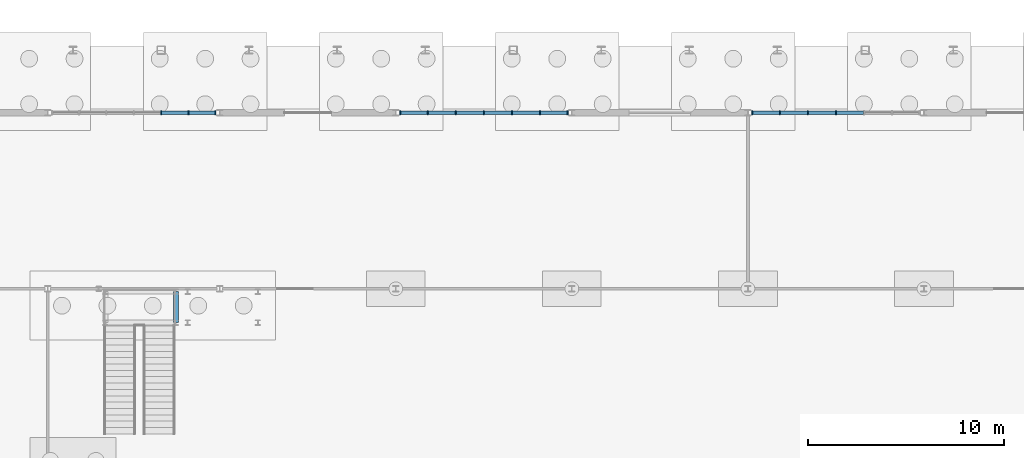
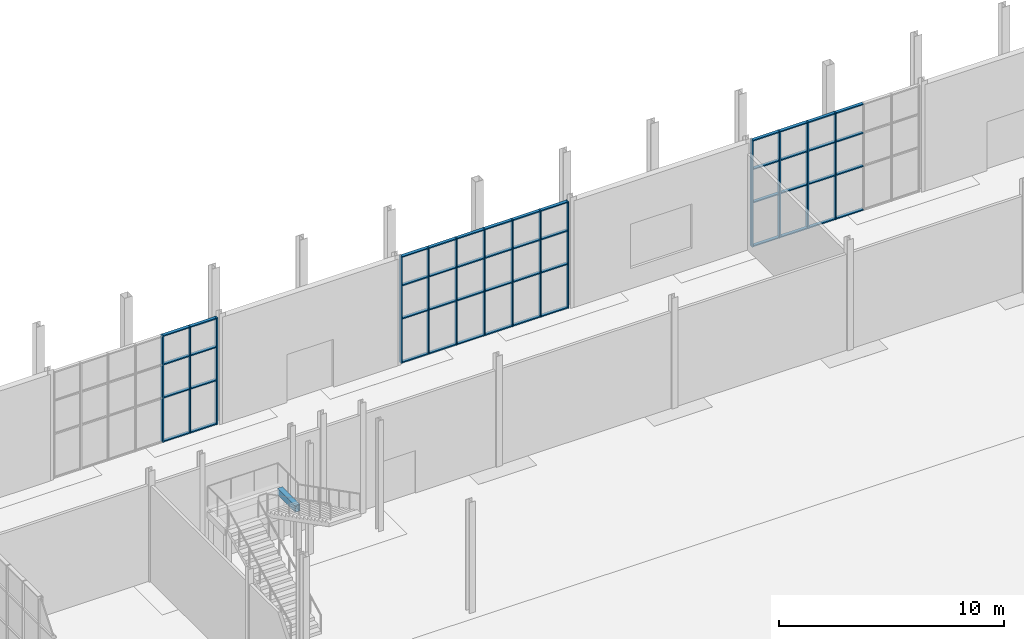
# One storey, part 60 of 131: 62 members, 1 beam, 3 elements without a shape of their own.
"""IFC4 building model written with IfcOpenShell, lengths in metres."""

from ifc_helpers import new_model, si_unit, direction, frame, origin, origin_2d, place, context, subcontext, project, spatial, rectangle, hollow_rectangle, extrude, material, layer, layer_set, material_profile, profile_set, type_object, element, aggregate, save


model = new_model("IFC4")

# Units and contexts
model_context = context("Model", 3, precision=1e-05, world=origin(), true_north=direction((0.0, 1.0)))
body_context = subcontext(model_context, "Body", "Model", "MODEL_VIEW")
ifc_project = project(units=[si_unit("LENGTHUNIT", "METRE"), si_unit("AREAUNIT", "SQUARE_METRE"), si_unit("VOLUMEUNIT", "CUBIC_METRE"), si_unit("PLANEANGLEUNIT", "RADIAN"), si_unit("MASSUNIT", "GRAM", prefix="KILO")], contexts=[model_context])

# Site, building, storey
site_placement = place(None, origin())
site = spatial("IfcSite", under=ifc_project, at=site_placement, CompositionType="ELEMENT")
building_placement = place(site_placement, origin())
building = spatial("IfcBuilding", under=site, at=building_placement, Name="Cazmaro Siding Exhibition Halls", CompositionType="ELEMENT")
storey_placement = place(building_placement, origin())
storey = spatial("IfcBuildingStorey", under=building, at=storey_placement, Name="L00", CompositionType="ELEMENT", Elevation=0.0)

# Beam
ifc_material_1 = material(Name="Steel ASTM A500 Grade C", Category="steel")
ifc_material_profile_1 = material_profile(ifc_material_1, hollow_rectangle(XDim=0.25390625, YDim=0.35595703125, WallThickness=0.014892578125, at=origin_2d()), Name="HSS14X10X5/8")
ifc_profile_set_1 = profile_set([ifc_material_profile_1], Name="Steel ASTM A500 Grade C")
beam_type = type_object("IfcBeamType", Name="B-06", PredefinedType="BEAM", material=ifc_profile_set_1)
beam_placement = place(storey_placement, frame((63.75, 110.070068359375, 2.6220703125), z_axis=(0.0, 1.0, 0.0), x_axis=(-1.0, 0.0, 0.0)))
element("IfcBeam", 1, at=beam_placement, inside=storey, type_object=beam_type, Name="Beam B-06 BM-2477", PredefinedType="BEAM", context=body_context, shape_type="SweptSolid", body=[
    extrude(hollow_rectangle(XDim=0.25390625, YDim=0.35595703125, WallThickness=0.014892578125, at=origin_2d()), origin(), (0.0, 0.0, 1.0), 1.579833984375),
])

# Curtain wall, members
ifc_material_2 = material(Name="Anodized Bronze Aluminum and Solar-Control Low-E Glazing", Category="aluminium")
ifc_layer = layer(ifc_material_2, 0.179931640625)
ifc_layer_set = layer_set([ifc_layer], Name="Anodized Bronze Aluminum and Solar-Control Low-E Glazing")
curtain_wall_type = type_object("IfcCurtainWallType", Name="CWS-01", PredefinedType="USERDEFINED", material=ifc_layer_set)
curtain_wall_1_placement = place(storey_placement, origin())
curtain_wall_1 = element("IfcCurtainWall", 2, at=curtain_wall_1_placement, inside=storey, type_object=curtain_wall_type, Name="Glazed Curtain Wall CWS-01 CW-006", ObjectType="GLAZED CURTAIN WALL", PredefinedType="USERDEFINED")
ifc_material_3 = material(Name="Anodized Bronze Extruded Aluminum", Category="aluminium")
ifc_material_profile_2 = material_profile(ifc_material_3, rectangle(XDim=0.179931640625, YDim=0.06005859375, at=origin_2d()), Name="CWM-01")
ifc_profile_set_2 = profile_set([ifc_material_profile_2], Name="Anodized Bronze Extruded Aluminum")
member_type_1 = type_object("IfcMemberType", Name="CWM-01", PredefinedType="MULLION", material=ifc_profile_set_2)
member_1_placement = place(storey_placement, frame((65.77294921875, 120.800048828125, 0.0), z_axis=(0.0, 0.0, 1.0), x_axis=(0.0, -1.0, 0.0)))
member_1 = element("IfcMember", 3, at=member_1_placement, type_object=member_type_1, Name="CWS-01 mullion 1", PredefinedType="MULLION", context=body_context, shape_type="SweptSolid", body=[
    extrude(rectangle(XDim=0.179931640625, YDim=0.06005859375, at=origin_2d()), origin(), (0.0, 0.0, 1.0), 5.780029296875),
])
member_2_placement = place(storey_placement, frame((64.402099609375, 120.800048828125, 0.0), z_axis=(0.0, 0.0, 1.0), x_axis=(0.0, -1.0, 0.0)))
member_2 = element("IfcMember", 4, at=member_2_placement, type_object=member_type_1, Name="CWS-01 mullion 2", PredefinedType="MULLION", context=body_context, shape_type="SweptSolid", body=[
    extrude(rectangle(XDim=0.179931640625, YDim=0.06005859375, at=origin_2d()), origin(), (0.0, 0.0, 1.0), 5.780029296875),
])
member_3_placement = place(storey_placement, frame((63.0009765625, 120.800048828125, 0.0), z_axis=(0.0, 0.0, 1.0), x_axis=(0.0, -1.0, 0.0)))
member_3 = element("IfcMember", 5, at=member_3_placement, type_object=member_type_1, Name="CWS-01 mullion 3", PredefinedType="MULLION", context=body_context, shape_type="SweptSolid", body=[
    extrude(rectangle(XDim=0.179931640625, YDim=0.06005859375, at=origin_2d()), origin(), (0.0, 0.0, 1.0), 5.780029296875),
])

curtain_wall_2_placement = place(storey_placement, origin())
curtain_wall_2 = element("IfcCurtainWall", 6, at=curtain_wall_2_placement, inside=storey, type_object=curtain_wall_type, Name="Glazed Curtain Wall CWS-01 CW-014", ObjectType="GLAZED CURTAIN WALL", PredefinedType="USERDEFINED")
member_4_placement = place(storey_placement, frame((83.77294921875, 120.800048828125, 0.0), z_axis=(0.0, 0.0, 1.0), x_axis=(0.0, -1.0, 0.0)))
member_4 = element("IfcMember", 7, at=member_4_placement, type_object=member_type_1, Name="CWS-01 mullion 1", PredefinedType="MULLION", context=body_context, shape_type="SweptSolid", body=[
    extrude(rectangle(XDim=0.179931640625, YDim=0.06005859375, at=origin_2d()), origin(), (0.0, 0.0, 1.0), 5.780029296875),
])
member_5_placement = place(storey_placement, frame((82.36865234375, 120.800048828125, 0.0), z_axis=(0.0, 0.0, 1.0), x_axis=(0.0, -1.0, 0.0)))
member_5 = element("IfcMember", 8, at=member_5_placement, type_object=member_type_1, Name="CWS-01 mullion 2", PredefinedType="MULLION", context=body_context, shape_type="SweptSolid", body=[
    extrude(rectangle(XDim=0.179931640625, YDim=0.06005859375, at=origin_2d()), origin(), (0.0, 0.0, 1.0), 5.780029296875),
])
member_6_placement = place(storey_placement, frame((80.934326171875, 120.800048828125, 0.0), z_axis=(0.0, 0.0, 1.0), x_axis=(0.0, -1.0, 0.0)))
member_6 = element("IfcMember", 9, at=member_6_placement, type_object=member_type_1, Name="CWS-01 mullion 3", PredefinedType="MULLION", context=body_context, shape_type="SweptSolid", body=[
    extrude(rectangle(XDim=0.179931640625, YDim=0.06005859375, at=origin_2d()), origin(), (0.0, 0.0, 1.0), 5.780029296875),
])
member_7_placement = place(storey_placement, frame((79.5, 120.800048828125, 0.0), z_axis=(0.0, 0.0, 1.0), x_axis=(0.0, -1.0, 0.0)))
member_7 = element("IfcMember", 10, at=member_7_placement, type_object=member_type_1, Name="CWS-01 mullion 4", PredefinedType="MULLION", context=body_context, shape_type="SweptSolid", body=[
    extrude(rectangle(XDim=0.179931640625, YDim=0.06005859375, at=origin_2d()), origin(), (0.0, 0.0, 1.0), 5.780029296875),
])
member_8_placement = place(storey_placement, frame((78.065673828125, 120.800048828125, 0.0), z_axis=(0.0, 0.0, 1.0), x_axis=(0.0, -1.0, 0.0)))
member_8 = element("IfcMember", 11, at=member_8_placement, type_object=member_type_1, Name="CWS-01 mullion 5", PredefinedType="MULLION", context=body_context, shape_type="SweptSolid", body=[
    extrude(rectangle(XDim=0.179931640625, YDim=0.06005859375, at=origin_2d()), origin(), (0.0, 0.0, 1.0), 5.780029296875),
])
member_9_placement = place(storey_placement, frame((76.63134765625, 120.800048828125, 0.0), z_axis=(0.0, 0.0, 1.0), x_axis=(0.0, -1.0, 0.0)))
member_9 = element("IfcMember", 12, at=member_9_placement, type_object=member_type_1, Name="CWS-01 mullion 6", PredefinedType="MULLION", context=body_context, shape_type="SweptSolid", body=[
    extrude(rectangle(XDim=0.179931640625, YDim=0.06005859375, at=origin_2d()), origin(), (0.0, 0.0, 1.0), 5.780029296875),
])
member_10_placement = place(storey_placement, frame((75.22705078125, 120.800048828125, 0.0), z_axis=(0.0, 0.0, 1.0), x_axis=(0.0, -1.0, 0.0)))
member_10 = element("IfcMember", 13, at=member_10_placement, type_object=member_type_1, Name="CWS-01 mullion 7", PredefinedType="MULLION", context=body_context, shape_type="SweptSolid", body=[
    extrude(rectangle(XDim=0.179931640625, YDim=0.06005859375, at=origin_2d()), origin(), (0.0, 0.0, 1.0), 5.780029296875),
])

curtain_wall_3_placement = place(storey_placement, origin())
curtain_wall_3 = element("IfcCurtainWall", 14, at=curtain_wall_3_placement, inside=storey, type_object=curtain_wall_type, Name="Glazed Curtain Wall CWS-01 CW-022", ObjectType="GLAZED CURTAIN WALL", PredefinedType="USERDEFINED")
member_11_placement = place(storey_placement, frame((97.5, 120.800048828125, 0.0), z_axis=(0.0, 0.0, 1.0), x_axis=(0.0, -1.0, 0.0)))
member_11 = element("IfcMember", 15, at=member_11_placement, type_object=member_type_1, Name="CWS-01 mullion 4", PredefinedType="MULLION", context=body_context, shape_type="SweptSolid", body=[
    extrude(rectangle(XDim=0.179931640625, YDim=0.06005859375, at=origin_2d()), origin(), (0.0, 0.0, 1.0), 5.780029296875),
])
member_12_placement = place(storey_placement, frame((96.065673828125, 120.800048828125, 0.0), z_axis=(0.0, 0.0, 1.0), x_axis=(0.0, -1.0, 0.0)))
member_12 = element("IfcMember", 16, at=member_12_placement, type_object=member_type_1, Name="CWS-01 mullion 5", PredefinedType="MULLION", context=body_context, shape_type="SweptSolid", body=[
    extrude(rectangle(XDim=0.179931640625, YDim=0.06005859375, at=origin_2d()), origin(), (0.0, 0.0, 1.0), 5.780029296875),
])
member_13_placement = place(storey_placement, frame((94.63134765625, 120.800048828125, 0.0), z_axis=(0.0, 0.0, 1.0), x_axis=(0.0, -1.0, 0.0)))
member_13 = element("IfcMember", 17, at=member_13_placement, type_object=member_type_1, Name="CWS-01 mullion 6", PredefinedType="MULLION", context=body_context, shape_type="SweptSolid", body=[
    extrude(rectangle(XDim=0.179931640625, YDim=0.06005859375, at=origin_2d()), origin(), (0.0, 0.0, 1.0), 5.780029296875),
])
member_14_placement = place(storey_placement, frame((93.22705078125, 120.800048828125, 0.0), z_axis=(0.0, 0.0, 1.0), x_axis=(0.0, -1.0, 0.0)))
member_14 = element("IfcMember", 18, at=member_14_placement, type_object=member_type_1, Name="CWS-01 mullion 7", PredefinedType="MULLION", context=body_context, shape_type="SweptSolid", body=[
    extrude(rectangle(XDim=0.179931640625, YDim=0.06005859375, at=origin_2d()), origin(), (0.0, 0.0, 1.0), 5.780029296875),
])

# Member
ifc_material_4 = material(Name="Anodized Bronze Extruded Aluminum", Category="aluminium")
ifc_material_profile_3 = material_profile(ifc_material_4, rectangle(XDim=0.159912109375, YDim=0.06005859375, at=origin_2d()), Name="CWT-01")
ifc_profile_set_3 = profile_set([ifc_material_profile_3], Name="Anodized Bronze Extruded Aluminum")
member_type_2 = type_object("IfcMemberType", Name="CWT-01", PredefinedType="MULLION", material=ifc_profile_set_3)
member_15_placement = place(storey_placement, frame((65.742919921875, 120.800048828125, 0.030029296875), z_axis=(-1.0, 0.0, 0.0), x_axis=(0.0, -1.0, 0.0)))
member_15 = element("IfcMember", 19, at=member_15_placement, type_object=member_type_2, Name="CWS-01 transom 1.1", ObjectType="TRANSOM", PredefinedType="USERDEFINED", context=body_context, shape_type="SweptSolid", body=[
    extrude(rectangle(XDim=0.159912109375, YDim=0.06005859375, at=origin_2d()), origin(), (0.0, 0.0, 1.0), 1.31103515625),
])

member_16_placement = place(storey_placement, frame((65.742919921875, 120.800048828125, 2.39990234375), z_axis=(-1.0, 0.0, 0.0), x_axis=(0.0, -1.0, 0.0)))
member_16 = element("IfcMember", 20, at=member_16_placement, type_object=member_type_2, Name="CWS-01 transom 1.2", ObjectType="TRANSOM", PredefinedType="USERDEFINED", context=body_context, shape_type="SweptSolid", body=[
    extrude(rectangle(XDim=0.159912109375, YDim=0.06005859375, at=origin_2d()), origin(), (0.0, 0.0, 1.0), 1.31103515625),
])

member_17_placement = place(storey_placement, frame((65.742919921875, 120.800048828125, 4.199951171875), z_axis=(-1.0, 0.0, 0.0), x_axis=(0.0, -1.0, 0.0)))
member_17 = element("IfcMember", 21, at=member_17_placement, type_object=member_type_2, Name="CWS-01 transom 1.3", ObjectType="TRANSOM", PredefinedType="USERDEFINED", context=body_context, shape_type="SweptSolid", body=[
    extrude(rectangle(XDim=0.159912109375, YDim=0.06005859375, at=origin_2d()), origin(), (0.0, 0.0, 1.0), 1.31103515625),
])

member_18_placement = place(storey_placement, frame((65.742919921875, 120.800048828125, 5.75), z_axis=(-1.0, 0.0, 0.0), x_axis=(0.0, -1.0, 0.0)))
member_18 = element("IfcMember", 22, at=member_18_placement, type_object=member_type_2, Name="CWS-01 transom 1.4", ObjectType="TRANSOM", PredefinedType="USERDEFINED", context=body_context, shape_type="SweptSolid", body=[
    extrude(rectangle(XDim=0.159912109375, YDim=0.06005859375, at=origin_2d()), origin(), (0.0, 0.0, 1.0), 1.31103515625),
])

member_19_placement = place(storey_placement, frame((64.3720703125, 120.800048828125, 0.030029296875), z_axis=(-1.0, 0.0, 0.0), x_axis=(0.0, -1.0, 0.0)))
member_19 = element("IfcMember", 23, at=member_19_placement, type_object=member_type_2, Name="CWS-01 transom 2.1", ObjectType="TRANSOM", PredefinedType="USERDEFINED", context=body_context, shape_type="SweptSolid", body=[
    extrude(rectangle(XDim=0.159912109375, YDim=0.06005859375, at=origin_2d()), origin(), (0.0, 0.0, 1.0), 1.341064453125),
])

member_20_placement = place(storey_placement, frame((64.3720703125, 120.800048828125, 2.39990234375), z_axis=(-1.0, 0.0, 0.0), x_axis=(0.0, -1.0, 0.0)))
member_20 = element("IfcMember", 24, at=member_20_placement, type_object=member_type_2, Name="CWS-01 transom 2.2", ObjectType="TRANSOM", PredefinedType="USERDEFINED", context=body_context, shape_type="SweptSolid", body=[
    extrude(rectangle(XDim=0.159912109375, YDim=0.06005859375, at=origin_2d()), origin(), (0.0, 0.0, 1.0), 1.341064453125),
])

member_21_placement = place(storey_placement, frame((64.3720703125, 120.800048828125, 4.199951171875), z_axis=(-1.0, 0.0, 0.0), x_axis=(0.0, -1.0, 0.0)))
member_21 = element("IfcMember", 25, at=member_21_placement, type_object=member_type_2, Name="CWS-01 transom 2.3", ObjectType="TRANSOM", PredefinedType="USERDEFINED", context=body_context, shape_type="SweptSolid", body=[
    extrude(rectangle(XDim=0.159912109375, YDim=0.06005859375, at=origin_2d()), origin(), (0.0, 0.0, 1.0), 1.341064453125),
])

member_22_placement = place(storey_placement, frame((64.3720703125, 120.800048828125, 5.75), z_axis=(-1.0, 0.0, 0.0), x_axis=(0.0, -1.0, 0.0)))
member_22 = element("IfcMember", 26, at=member_22_placement, type_object=member_type_2, Name="CWS-01 transom 2.4", ObjectType="TRANSOM", PredefinedType="USERDEFINED", context=body_context, shape_type="SweptSolid", body=[
    extrude(rectangle(XDim=0.159912109375, YDim=0.06005859375, at=origin_2d()), origin(), (0.0, 0.0, 1.0), 1.341064453125),
])

aggregate(curtain_wall_1, [member_1, member_2, member_3, member_15, member_16, member_17, member_18, member_19, member_20, member_21, member_22])

member_23_placement = place(storey_placement, frame((83.742919921875, 120.800048828125, 0.030029296875), z_axis=(-1.0, 0.0, 0.0), x_axis=(0.0, -1.0, 0.0)))
member_23 = element("IfcMember", 27, at=member_23_placement, type_object=member_type_2, Name="CWS-01 transom 1.1", ObjectType="TRANSOM", PredefinedType="USERDEFINED", context=body_context, shape_type="SweptSolid", body=[
    extrude(rectangle(XDim=0.159912109375, YDim=0.06005859375, at=origin_2d()), origin(), (0.0, 0.0, 1.0), 1.34423828125),
])

member_24_placement = place(storey_placement, frame((83.742919921875, 120.800048828125, 2.39990234375), z_axis=(-1.0, 0.0, 0.0), x_axis=(0.0, -1.0, 0.0)))
member_24 = element("IfcMember", 28, at=member_24_placement, type_object=member_type_2, Name="CWS-01 transom 1.2", ObjectType="TRANSOM", PredefinedType="USERDEFINED", context=body_context, shape_type="SweptSolid", body=[
    extrude(rectangle(XDim=0.159912109375, YDim=0.06005859375, at=origin_2d()), origin(), (0.0, 0.0, 1.0), 1.34423828125),
])

member_25_placement = place(storey_placement, frame((83.742919921875, 120.800048828125, 4.199951171875), z_axis=(-1.0, 0.0, 0.0), x_axis=(0.0, -1.0, 0.0)))
member_25 = element("IfcMember", 29, at=member_25_placement, type_object=member_type_2, Name="CWS-01 transom 1.3", ObjectType="TRANSOM", PredefinedType="USERDEFINED", context=body_context, shape_type="SweptSolid", body=[
    extrude(rectangle(XDim=0.159912109375, YDim=0.06005859375, at=origin_2d()), origin(), (0.0, 0.0, 1.0), 1.34423828125),
])

member_26_placement = place(storey_placement, frame((83.742919921875, 120.800048828125, 5.75), z_axis=(-1.0, 0.0, 0.0), x_axis=(0.0, -1.0, 0.0)))
member_26 = element("IfcMember", 30, at=member_26_placement, type_object=member_type_2, Name="CWS-01 transom 1.4", ObjectType="TRANSOM", PredefinedType="USERDEFINED", context=body_context, shape_type="SweptSolid", body=[
    extrude(rectangle(XDim=0.159912109375, YDim=0.06005859375, at=origin_2d()), origin(), (0.0, 0.0, 1.0), 1.34423828125),
])

member_27_placement = place(storey_placement, frame((82.338623046875, 120.800048828125, 0.030029296875), z_axis=(-1.0, 0.0, 0.0), x_axis=(0.0, -1.0, 0.0)))
member_27 = element("IfcMember", 31, at=member_27_placement, type_object=member_type_2, Name="CWS-01 transom 2.1", ObjectType="TRANSOM", PredefinedType="USERDEFINED", context=body_context, shape_type="SweptSolid", body=[
    extrude(rectangle(XDim=0.159912109375, YDim=0.06005859375, at=origin_2d()), origin(), (0.0, 0.0, 1.0), 1.374267578125),
])

member_28_placement = place(storey_placement, frame((82.338623046875, 120.800048828125, 2.39990234375), z_axis=(-1.0, 0.0, 0.0), x_axis=(0.0, -1.0, 0.0)))
member_28 = element("IfcMember", 32, at=member_28_placement, type_object=member_type_2, Name="CWS-01 transom 2.2", ObjectType="TRANSOM", PredefinedType="USERDEFINED", context=body_context, shape_type="SweptSolid", body=[
    extrude(rectangle(XDim=0.159912109375, YDim=0.06005859375, at=origin_2d()), origin(), (0.0, 0.0, 1.0), 1.374267578125),
])

member_29_placement = place(storey_placement, frame((82.338623046875, 120.800048828125, 4.199951171875), z_axis=(-1.0, 0.0, 0.0), x_axis=(0.0, -1.0, 0.0)))
member_29 = element("IfcMember", 33, at=member_29_placement, type_object=member_type_2, Name="CWS-01 transom 2.3", ObjectType="TRANSOM", PredefinedType="USERDEFINED", context=body_context, shape_type="SweptSolid", body=[
    extrude(rectangle(XDim=0.159912109375, YDim=0.06005859375, at=origin_2d()), origin(), (0.0, 0.0, 1.0), 1.374267578125),
])

member_30_placement = place(storey_placement, frame((82.338623046875, 120.800048828125, 5.75), z_axis=(-1.0, 0.0, 0.0), x_axis=(0.0, -1.0, 0.0)))
member_30 = element("IfcMember", 34, at=member_30_placement, type_object=member_type_2, Name="CWS-01 transom 2.4", ObjectType="TRANSOM", PredefinedType="USERDEFINED", context=body_context, shape_type="SweptSolid", body=[
    extrude(rectangle(XDim=0.159912109375, YDim=0.06005859375, at=origin_2d()), origin(), (0.0, 0.0, 1.0), 1.374267578125),
])

member_31_placement = place(storey_placement, frame((80.904296875, 120.800048828125, 0.030029296875), z_axis=(-1.0, 0.0, 0.0), x_axis=(0.0, -1.0, 0.0)))
member_31 = element("IfcMember", 35, at=member_31_placement, type_object=member_type_2, Name="CWS-01 transom 3.1", ObjectType="TRANSOM", PredefinedType="USERDEFINED", context=body_context, shape_type="SweptSolid", body=[
    extrude(rectangle(XDim=0.159912109375, YDim=0.06005859375, at=origin_2d()), origin(), (0.0, 0.0, 1.0), 1.374267578125),
])

member_32_placement = place(storey_placement, frame((80.904296875, 120.800048828125, 2.39990234375), z_axis=(-1.0, 0.0, 0.0), x_axis=(0.0, -1.0, 0.0)))
member_32 = element("IfcMember", 36, at=member_32_placement, type_object=member_type_2, Name="CWS-01 transom 3.2", ObjectType="TRANSOM", PredefinedType="USERDEFINED", context=body_context, shape_type="SweptSolid", body=[
    extrude(rectangle(XDim=0.159912109375, YDim=0.06005859375, at=origin_2d()), origin(), (0.0, 0.0, 1.0), 1.374267578125),
])

member_33_placement = place(storey_placement, frame((80.904296875, 120.800048828125, 4.199951171875), z_axis=(-1.0, 0.0, 0.0), x_axis=(0.0, -1.0, 0.0)))
member_33 = element("IfcMember", 37, at=member_33_placement, type_object=member_type_2, Name="CWS-01 transom 3.3", ObjectType="TRANSOM", PredefinedType="USERDEFINED", context=body_context, shape_type="SweptSolid", body=[
    extrude(rectangle(XDim=0.159912109375, YDim=0.06005859375, at=origin_2d()), origin(), (0.0, 0.0, 1.0), 1.374267578125),
])

member_34_placement = place(storey_placement, frame((80.904296875, 120.800048828125, 5.75), z_axis=(-1.0, 0.0, 0.0), x_axis=(0.0, -1.0, 0.0)))
member_34 = element("IfcMember", 38, at=member_34_placement, type_object=member_type_2, Name="CWS-01 transom 3.4", ObjectType="TRANSOM", PredefinedType="USERDEFINED", context=body_context, shape_type="SweptSolid", body=[
    extrude(rectangle(XDim=0.159912109375, YDim=0.06005859375, at=origin_2d()), origin(), (0.0, 0.0, 1.0), 1.374267578125),
])

member_35_placement = place(storey_placement, frame((79.469970703125, 120.800048828125, 0.030029296875), z_axis=(-1.0, 0.0, 0.0), x_axis=(0.0, -1.0, 0.0)))
member_35 = element("IfcMember", 39, at=member_35_placement, type_object=member_type_2, Name="CWS-01 transom 4.1", ObjectType="TRANSOM", PredefinedType="USERDEFINED", context=body_context, shape_type="SweptSolid", body=[
    extrude(rectangle(XDim=0.159912109375, YDim=0.06005859375, at=origin_2d()), origin(), (0.0, 0.0, 1.0), 1.374267578125),
])

member_36_placement = place(storey_placement, frame((79.469970703125, 120.800048828125, 2.39990234375), z_axis=(-1.0, 0.0, 0.0), x_axis=(0.0, -1.0, 0.0)))
member_36 = element("IfcMember", 40, at=member_36_placement, type_object=member_type_2, Name="CWS-01 transom 4.2", ObjectType="TRANSOM", PredefinedType="USERDEFINED", context=body_context, shape_type="SweptSolid", body=[
    extrude(rectangle(XDim=0.159912109375, YDim=0.06005859375, at=origin_2d()), origin(), (0.0, 0.0, 1.0), 1.374267578125),
])

member_37_placement = place(storey_placement, frame((79.469970703125, 120.800048828125, 4.199951171875), z_axis=(-1.0, 0.0, 0.0), x_axis=(0.0, -1.0, 0.0)))
member_37 = element("IfcMember", 41, at=member_37_placement, type_object=member_type_2, Name="CWS-01 transom 4.3", ObjectType="TRANSOM", PredefinedType="USERDEFINED", context=body_context, shape_type="SweptSolid", body=[
    extrude(rectangle(XDim=0.159912109375, YDim=0.06005859375, at=origin_2d()), origin(), (0.0, 0.0, 1.0), 1.374267578125),
])

member_38_placement = place(storey_placement, frame((79.469970703125, 120.800048828125, 5.75), z_axis=(-1.0, 0.0, 0.0), x_axis=(0.0, -1.0, 0.0)))
member_38 = element("IfcMember", 42, at=member_38_placement, type_object=member_type_2, Name="CWS-01 transom 4.4", ObjectType="TRANSOM", PredefinedType="USERDEFINED", context=body_context, shape_type="SweptSolid", body=[
    extrude(rectangle(XDim=0.159912109375, YDim=0.06005859375, at=origin_2d()), origin(), (0.0, 0.0, 1.0), 1.374267578125),
])

member_39_placement = place(storey_placement, frame((78.03564453125, 120.800048828125, 0.030029296875), z_axis=(-1.0, 0.0, 0.0), x_axis=(0.0, -1.0, 0.0)))
member_39 = element("IfcMember", 43, at=member_39_placement, type_object=member_type_2, Name="CWS-01 transom 5.1", ObjectType="TRANSOM", PredefinedType="USERDEFINED", context=body_context, shape_type="SweptSolid", body=[
    extrude(rectangle(XDim=0.159912109375, YDim=0.06005859375, at=origin_2d()), origin(), (0.0, 0.0, 1.0), 1.374267578125),
])

member_40_placement = place(storey_placement, frame((78.03564453125, 120.800048828125, 2.39990234375), z_axis=(-1.0, 0.0, 0.0), x_axis=(0.0, -1.0, 0.0)))
member_40 = element("IfcMember", 44, at=member_40_placement, type_object=member_type_2, Name="CWS-01 transom 5.2", ObjectType="TRANSOM", PredefinedType="USERDEFINED", context=body_context, shape_type="SweptSolid", body=[
    extrude(rectangle(XDim=0.159912109375, YDim=0.06005859375, at=origin_2d()), origin(), (0.0, 0.0, 1.0), 1.374267578125),
])

member_41_placement = place(storey_placement, frame((78.03564453125, 120.800048828125, 4.199951171875), z_axis=(-1.0, 0.0, 0.0), x_axis=(0.0, -1.0, 0.0)))
member_41 = element("IfcMember", 45, at=member_41_placement, type_object=member_type_2, Name="CWS-01 transom 5.3", ObjectType="TRANSOM", PredefinedType="USERDEFINED", context=body_context, shape_type="SweptSolid", body=[
    extrude(rectangle(XDim=0.159912109375, YDim=0.06005859375, at=origin_2d()), origin(), (0.0, 0.0, 1.0), 1.374267578125),
])

member_42_placement = place(storey_placement, frame((78.03564453125, 120.800048828125, 5.75), z_axis=(-1.0, 0.0, 0.0), x_axis=(0.0, -1.0, 0.0)))
member_42 = element("IfcMember", 46, at=member_42_placement, type_object=member_type_2, Name="CWS-01 transom 5.4", ObjectType="TRANSOM", PredefinedType="USERDEFINED", context=body_context, shape_type="SweptSolid", body=[
    extrude(rectangle(XDim=0.159912109375, YDim=0.06005859375, at=origin_2d()), origin(), (0.0, 0.0, 1.0), 1.374267578125),
])

member_43_placement = place(storey_placement, frame((76.601318359375, 120.800048828125, 0.030029296875), z_axis=(-1.0, 0.0, 0.0), x_axis=(0.0, -1.0, 0.0)))
member_43 = element("IfcMember", 47, at=member_43_placement, type_object=member_type_2, Name="CWS-01 transom 6.1", ObjectType="TRANSOM", PredefinedType="USERDEFINED", context=body_context, shape_type="SweptSolid", body=[
    extrude(rectangle(XDim=0.159912109375, YDim=0.06005859375, at=origin_2d()), origin(), (0.0, 0.0, 1.0), 1.34423828125),
])

member_44_placement = place(storey_placement, frame((76.601318359375, 120.800048828125, 2.39990234375), z_axis=(-1.0, 0.0, 0.0), x_axis=(0.0, -1.0, 0.0)))
member_44 = element("IfcMember", 48, at=member_44_placement, type_object=member_type_2, Name="CWS-01 transom 6.2", ObjectType="TRANSOM", PredefinedType="USERDEFINED", context=body_context, shape_type="SweptSolid", body=[
    extrude(rectangle(XDim=0.159912109375, YDim=0.06005859375, at=origin_2d()), origin(), (0.0, 0.0, 1.0), 1.34423828125),
])

member_45_placement = place(storey_placement, frame((76.601318359375, 120.800048828125, 4.199951171875), z_axis=(-1.0, 0.0, 0.0), x_axis=(0.0, -1.0, 0.0)))
member_45 = element("IfcMember", 49, at=member_45_placement, type_object=member_type_2, Name="CWS-01 transom 6.3", ObjectType="TRANSOM", PredefinedType="USERDEFINED", context=body_context, shape_type="SweptSolid", body=[
    extrude(rectangle(XDim=0.159912109375, YDim=0.06005859375, at=origin_2d()), origin(), (0.0, 0.0, 1.0), 1.34423828125),
])

member_46_placement = place(storey_placement, frame((76.601318359375, 120.800048828125, 5.75), z_axis=(-1.0, 0.0, 0.0), x_axis=(0.0, -1.0, 0.0)))
member_46 = element("IfcMember", 50, at=member_46_placement, type_object=member_type_2, Name="CWS-01 transom 6.4", ObjectType="TRANSOM", PredefinedType="USERDEFINED", context=body_context, shape_type="SweptSolid", body=[
    extrude(rectangle(XDim=0.159912109375, YDim=0.06005859375, at=origin_2d()), origin(), (0.0, 0.0, 1.0), 1.34423828125),
])

aggregate(curtain_wall_2, [member_4, member_5, member_6, member_7, member_8, member_9, member_10, member_23, member_24, member_25, member_26, member_27, member_28, member_29, member_30, member_31, member_32, member_33, member_34, member_35, member_36, member_37, member_38, member_39, member_40, member_41, member_42, member_43, member_44, member_45, member_46])

member_47_placement = place(storey_placement, frame((98.904296875, 120.800048828125, 0.030029296875), z_axis=(-1.0, 0.0, 0.0), x_axis=(0.0, -1.0, 0.0)))
member_47 = element("IfcMember", 51, at=member_47_placement, type_object=member_type_2, Name="CWS-01 transom 3.1", ObjectType="TRANSOM", PredefinedType="USERDEFINED", context=body_context, shape_type="SweptSolid", body=[
    extrude(rectangle(XDim=0.159912109375, YDim=0.06005859375, at=origin_2d()), origin(), (0.0, 0.0, 1.0), 1.374267578125),
])

member_48_placement = place(storey_placement, frame((98.904296875, 120.800048828125, 2.39990234375), z_axis=(-1.0, 0.0, 0.0), x_axis=(0.0, -1.0, 0.0)))
member_48 = element("IfcMember", 52, at=member_48_placement, type_object=member_type_2, Name="CWS-01 transom 3.2", ObjectType="TRANSOM", PredefinedType="USERDEFINED", context=body_context, shape_type="SweptSolid", body=[
    extrude(rectangle(XDim=0.159912109375, YDim=0.06005859375, at=origin_2d()), origin(), (0.0, 0.0, 1.0), 1.374267578125),
])

member_49_placement = place(storey_placement, frame((98.904296875, 120.800048828125, 4.199951171875), z_axis=(-1.0, 0.0, 0.0), x_axis=(0.0, -1.0, 0.0)))
member_49 = element("IfcMember", 53, at=member_49_placement, type_object=member_type_2, Name="CWS-01 transom 3.3", ObjectType="TRANSOM", PredefinedType="USERDEFINED", context=body_context, shape_type="SweptSolid", body=[
    extrude(rectangle(XDim=0.159912109375, YDim=0.06005859375, at=origin_2d()), origin(), (0.0, 0.0, 1.0), 1.374267578125),
])

member_50_placement = place(storey_placement, frame((98.904296875, 120.800048828125, 5.75), z_axis=(-1.0, 0.0, 0.0), x_axis=(0.0, -1.0, 0.0)))
member_50 = element("IfcMember", 54, at=member_50_placement, type_object=member_type_2, Name="CWS-01 transom 3.4", ObjectType="TRANSOM", PredefinedType="USERDEFINED", context=body_context, shape_type="SweptSolid", body=[
    extrude(rectangle(XDim=0.159912109375, YDim=0.06005859375, at=origin_2d()), origin(), (0.0, 0.0, 1.0), 1.374267578125),
])

member_51_placement = place(storey_placement, frame((97.469970703125, 120.800048828125, 0.030029296875), z_axis=(-1.0, 0.0, 0.0), x_axis=(0.0, -1.0, 0.0)))
member_51 = element("IfcMember", 55, at=member_51_placement, type_object=member_type_2, Name="CWS-01 transom 4.1", ObjectType="TRANSOM", PredefinedType="USERDEFINED", context=body_context, shape_type="SweptSolid", body=[
    extrude(rectangle(XDim=0.159912109375, YDim=0.06005859375, at=origin_2d()), origin(), (0.0, 0.0, 1.0), 1.374267578125),
])

member_52_placement = place(storey_placement, frame((97.469970703125, 120.800048828125, 2.39990234375), z_axis=(-1.0, 0.0, 0.0), x_axis=(0.0, -1.0, 0.0)))
member_52 = element("IfcMember", 56, at=member_52_placement, type_object=member_type_2, Name="CWS-01 transom 4.2", ObjectType="TRANSOM", PredefinedType="USERDEFINED", context=body_context, shape_type="SweptSolid", body=[
    extrude(rectangle(XDim=0.159912109375, YDim=0.06005859375, at=origin_2d()), origin(), (0.0, 0.0, 1.0), 1.374267578125),
])

member_53_placement = place(storey_placement, frame((97.469970703125, 120.800048828125, 4.199951171875), z_axis=(-1.0, 0.0, 0.0), x_axis=(0.0, -1.0, 0.0)))
member_53 = element("IfcMember", 57, at=member_53_placement, type_object=member_type_2, Name="CWS-01 transom 4.3", ObjectType="TRANSOM", PredefinedType="USERDEFINED", context=body_context, shape_type="SweptSolid", body=[
    extrude(rectangle(XDim=0.159912109375, YDim=0.06005859375, at=origin_2d()), origin(), (0.0, 0.0, 1.0), 1.374267578125),
])

member_54_placement = place(storey_placement, frame((97.469970703125, 120.800048828125, 5.75), z_axis=(-1.0, 0.0, 0.0), x_axis=(0.0, -1.0, 0.0)))
member_54 = element("IfcMember", 58, at=member_54_placement, type_object=member_type_2, Name="CWS-01 transom 4.4", ObjectType="TRANSOM", PredefinedType="USERDEFINED", context=body_context, shape_type="SweptSolid", body=[
    extrude(rectangle(XDim=0.159912109375, YDim=0.06005859375, at=origin_2d()), origin(), (0.0, 0.0, 1.0), 1.374267578125),
])

member_55_placement = place(storey_placement, frame((96.03564453125, 120.800048828125, 0.030029296875), z_axis=(-1.0, 0.0, 0.0), x_axis=(0.0, -1.0, 0.0)))
member_55 = element("IfcMember", 59, at=member_55_placement, type_object=member_type_2, Name="CWS-01 transom 5.1", ObjectType="TRANSOM", PredefinedType="USERDEFINED", context=body_context, shape_type="SweptSolid", body=[
    extrude(rectangle(XDim=0.159912109375, YDim=0.06005859375, at=origin_2d()), origin(), (0.0, 0.0, 1.0), 1.374267578125),
])

member_56_placement = place(storey_placement, frame((96.03564453125, 120.800048828125, 2.39990234375), z_axis=(-1.0, 0.0, 0.0), x_axis=(0.0, -1.0, 0.0)))
member_56 = element("IfcMember", 60, at=member_56_placement, type_object=member_type_2, Name="CWS-01 transom 5.2", ObjectType="TRANSOM", PredefinedType="USERDEFINED", context=body_context, shape_type="SweptSolid", body=[
    extrude(rectangle(XDim=0.159912109375, YDim=0.06005859375, at=origin_2d()), origin(), (0.0, 0.0, 1.0), 1.374267578125),
])

member_57_placement = place(storey_placement, frame((96.03564453125, 120.800048828125, 4.199951171875), z_axis=(-1.0, 0.0, 0.0), x_axis=(0.0, -1.0, 0.0)))
member_57 = element("IfcMember", 61, at=member_57_placement, type_object=member_type_2, Name="CWS-01 transom 5.3", ObjectType="TRANSOM", PredefinedType="USERDEFINED", context=body_context, shape_type="SweptSolid", body=[
    extrude(rectangle(XDim=0.159912109375, YDim=0.06005859375, at=origin_2d()), origin(), (0.0, 0.0, 1.0), 1.374267578125),
])

member_58_placement = place(storey_placement, frame((96.03564453125, 120.800048828125, 5.75), z_axis=(-1.0, 0.0, 0.0), x_axis=(0.0, -1.0, 0.0)))
member_58 = element("IfcMember", 62, at=member_58_placement, type_object=member_type_2, Name="CWS-01 transom 5.4", ObjectType="TRANSOM", PredefinedType="USERDEFINED", context=body_context, shape_type="SweptSolid", body=[
    extrude(rectangle(XDim=0.159912109375, YDim=0.06005859375, at=origin_2d()), origin(), (0.0, 0.0, 1.0), 1.374267578125),
])

member_59_placement = place(storey_placement, frame((94.601318359375, 120.800048828125, 0.030029296875), z_axis=(-1.0, 0.0, 0.0), x_axis=(0.0, -1.0, 0.0)))
member_59 = element("IfcMember", 63, at=member_59_placement, type_object=member_type_2, Name="CWS-01 transom 6.1", ObjectType="TRANSOM", PredefinedType="USERDEFINED", context=body_context, shape_type="SweptSolid", body=[
    extrude(rectangle(XDim=0.159912109375, YDim=0.06005859375, at=origin_2d()), origin(), (0.0, 0.0, 1.0), 1.34423828125),
])

member_60_placement = place(storey_placement, frame((94.601318359375, 120.800048828125, 2.39990234375), z_axis=(-1.0, 0.0, 0.0), x_axis=(0.0, -1.0, 0.0)))
member_60 = element("IfcMember", 64, at=member_60_placement, type_object=member_type_2, Name="CWS-01 transom 6.2", ObjectType="TRANSOM", PredefinedType="USERDEFINED", context=body_context, shape_type="SweptSolid", body=[
    extrude(rectangle(XDim=0.159912109375, YDim=0.06005859375, at=origin_2d()), origin(), (0.0, 0.0, 1.0), 1.34423828125),
])

member_61_placement = place(storey_placement, frame((94.601318359375, 120.800048828125, 4.199951171875), z_axis=(-1.0, 0.0, 0.0), x_axis=(0.0, -1.0, 0.0)))
member_61 = element("IfcMember", 65, at=member_61_placement, type_object=member_type_2, Name="CWS-01 transom 6.3", ObjectType="TRANSOM", PredefinedType="USERDEFINED", context=body_context, shape_type="SweptSolid", body=[
    extrude(rectangle(XDim=0.159912109375, YDim=0.06005859375, at=origin_2d()), origin(), (0.0, 0.0, 1.0), 1.34423828125),
])

member_62_placement = place(storey_placement, frame((94.601318359375, 120.800048828125, 5.75), z_axis=(-1.0, 0.0, 0.0), x_axis=(0.0, -1.0, 0.0)))
member_62 = element("IfcMember", 66, at=member_62_placement, type_object=member_type_2, Name="CWS-01 transom 6.4", ObjectType="TRANSOM", PredefinedType="USERDEFINED", context=body_context, shape_type="SweptSolid", body=[
    extrude(rectangle(XDim=0.159912109375, YDim=0.06005859375, at=origin_2d()), origin(), (0.0, 0.0, 1.0), 1.34423828125),
])

aggregate(curtain_wall_3, [member_11, member_12, member_13, member_14, member_47, member_48, member_49, member_50, member_51, member_52, member_53, member_54, member_55, member_56, member_57, member_58, member_59, member_60, member_61, member_62])

save(model, "model.ifc")
